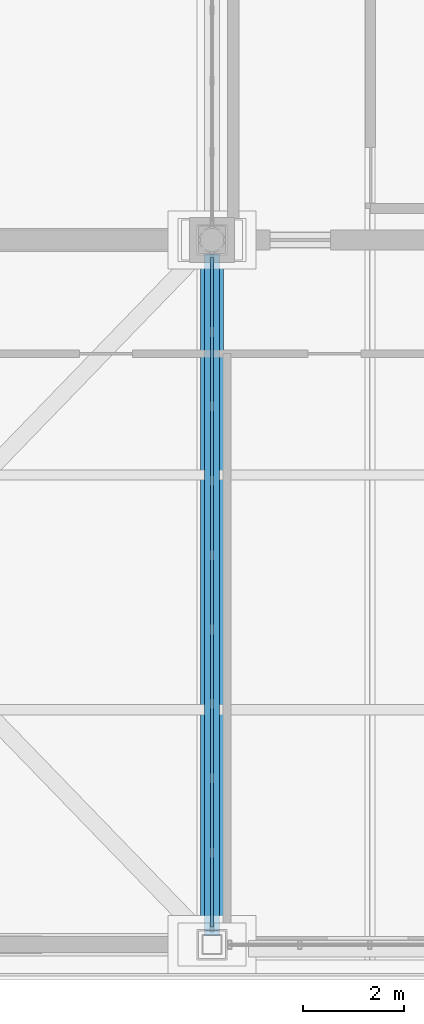
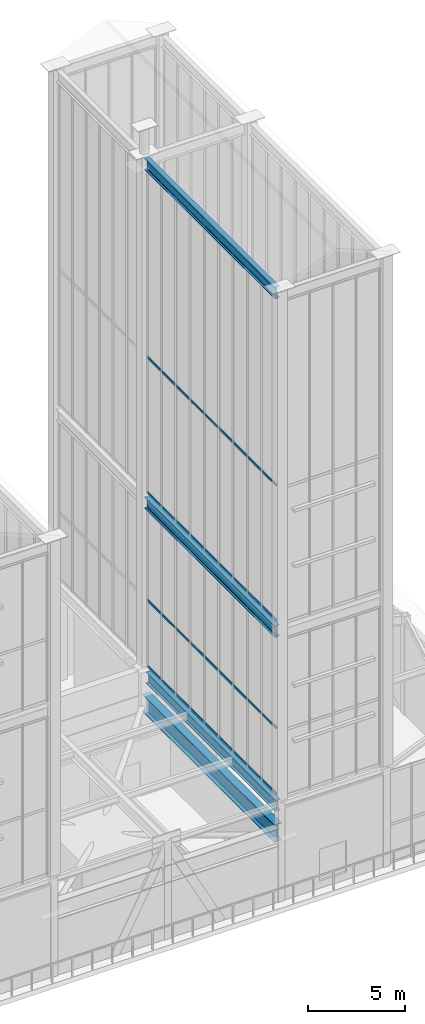
# One storey, part 55 of 135: 6 members, 4 beams, 2 elements without a shape of their own.
"""IFC4 building model written with IfcOpenShell, lengths in metres."""

from ifc_helpers import new_model, si_unit, direction, frame, origin, origin_2d, place, context, subcontext, project, spatial, hollow_rectangle, i_section, extrude, source, transform, mapped, material, layer, layer_set, material_profile, profile_set, type_object, element, aggregate, save


model = new_model("IFC4")

# Units and contexts
model_context = context("Model", 3, precision=1e-05, world=origin(), true_north=direction((0.0, 1.0)))
body_context = subcontext(model_context, "Body", "Model", "MODEL_VIEW")
ifc_project = project(units=[si_unit("LENGTHUNIT", "METRE"), si_unit("AREAUNIT", "SQUARE_METRE"), si_unit("VOLUMEUNIT", "CUBIC_METRE"), si_unit("PLANEANGLEUNIT", "RADIAN"), si_unit("MASSUNIT", "GRAM", prefix="KILO")], contexts=[model_context])

# Site, building, storey
site_placement = place(None, origin())
site = spatial("IfcSite", under=ifc_project, at=site_placement, CompositionType="ELEMENT")
building_placement = place(site_placement, origin())
building = spatial("IfcBuilding", under=site, at=building_placement, Name="Giltprow Tower", CompositionType="ELEMENT")
storey_placement = place(building_placement, frame((0.0, 0.0, 352.699951171875)))
storey = spatial("IfcBuildingStorey", under=building, at=storey_placement, Name="L92", CompositionType="ELEMENT", Elevation=352.699951171875)

# Beams
ifc_material_1 = material(Name="Structural steel Q355B", Category="steel")
ifc_material_profile_1 = material_profile(ifc_material_1, i_section(OverallWidth=0.300048828125, OverallDepth=0.699951171875, WebThickness=0.012939453125, FlangeThickness=0.02392578125, at=origin_2d()), Name="HN 700x300x13x24")
ifc_profile_set_1 = profile_set([ifc_material_profile_1], Name="Structural steel Q355B")
beam_type_1 = type_object("IfcBeamType", Name="BM-GIRD-HN700", PredefinedType="BEAM", material=ifc_profile_set_1)
shared_shape_1 = source(origin(), body_context, "Body", "SweptSolid", [
    extrude(i_section(OverallWidth=0.300048828125, OverallDepth=0.699951171875, WebThickness=0.012939453125, FlangeThickness=0.02392578125, at=origin_2d()), origin(), (0.0, 0.0, 1.0), 13.329833984375),
])
beam_1_placement = place(storey_placement, frame((44.300048828125, 23.68505859375, 5.81005859375), z_axis=(0.0, 1.0, 0.0), x_axis=(-1.0, 0.0, 0.0)))
element("IfcBeam", 1, at=beam_1_placement, inside=storey, type_object=beam_type_1, Name="L92 Primary Lease Girder S3", PredefinedType="BEAM", context=body_context, shape_type="MappedRepresentation", body=[
    mapped(shared_shape_1, transform((0.0, 0.0, 0.0), x_axis=(1.0, 0.0, 0.0), y_axis=(0.0, 1.0, 0.0), z_axis=(0.0, 0.0, 1.0), scale=1.0)),
])
ifc_material_2 = material(Name="Structural steel Q420GJC", Category="steel")
ifc_material_profile_2 = material_profile(ifc_material_2, i_section(OverallWidth=0.449951171875, OverallDepth=1.10009765625, WebThickness=0.02587890625, FlangeThickness=0.0419921875, at=origin_2d()), Name="WH 1100x450x26x42")
ifc_profile_set_2 = profile_set([ifc_material_profile_2], Name="Structural steel Q420GJC")
beam_type_2 = type_object("IfcBeamType", Name="BM-GIRD-WH1100", PredefinedType="BEAM", material=ifc_profile_set_2)
shared_shape_2 = source(origin(), body_context, "Body", "SweptSolid", [
    extrude(i_section(OverallWidth=0.449951171875, OverallDepth=1.10009765625, WebThickness=0.02587890625, FlangeThickness=0.0419921875, at=origin_2d()), origin(), (0.0, 0.0, 1.0), 13.570068359375),
])
beam_2_placement = place(storey_placement, frame((44.300048828125, 23.68994140625, 4.10009765625), z_axis=(0.0, 1.0, 0.0), x_axis=(-1.0, 0.0, 0.0)))
element("IfcBeam", 2, at=beam_2_placement, inside=storey, type_object=beam_type_2, Name="Tuned Mass Damper Gantry Beam 2", PredefinedType="BEAM", context=body_context, shape_type="MappedRepresentation", body=[
    mapped(shared_shape_2, transform((0.0, 0.0, 0.0), x_axis=(1.0, 0.0, 0.0), y_axis=(0.0, 1.0, 0.0), z_axis=(0.0, 0.0, 1.0), scale=1.0)),
])
ifc_material_profile_3 = material_profile(ifc_material_1, i_section(OverallWidth=0.300048828125, OverallDepth=0.699951171875, WebThickness=0.012939453125, FlangeThickness=0.02392578125, at=origin_2d()), Name="HN 700x300x13x24")
ifc_profile_set_3 = profile_set([ifc_material_profile_3], Name="Structural steel Q355B")
beam_type_3 = type_object("IfcBeamType", Name="BM-CRN-RING-HN700", PredefinedType="BEAM", material=ifc_profile_set_3)
shared_shape_3 = source(origin(), body_context, "Body", "SweptSolid", [
    extrude(i_section(OverallWidth=0.300048828125, OverallDepth=0.699951171875, WebThickness=0.012939453125, FlangeThickness=0.02392578125, at=origin_2d()), origin(), (0.0, 0.0, 1.0), 13.389892578125),
])
for number, where, z_axis, x_axis, name in (
    (3, (44.300048828125, 37.169921875, 16.699951171875), (0.0, -1.0, 0.0), (1.0, 0.0, 0.0), "Crown Frame East Ring Beam 1-6"),
    (4, (44.300048828125, 37.169921875, 37.966064453125), (0.0, -1.0, 0.0), (1.0, 0.0, 0.0), "Crown Frame East Ring Beam 2-6"),
):
    element("IfcBeam", number, at=place(storey_placement, frame(where, z_axis=z_axis, x_axis=x_axis)), inside=storey, type_object=beam_type_3, Name=name, PredefinedType="BEAM", context=body_context, shape_type="MappedRepresentation", body=[
        mapped(shared_shape_3, transform((0.0, 0.0, 0.0), x_axis=(1.0, 0.0, 0.0), y_axis=(0.0, 1.0, 0.0), z_axis=(0.0, 0.0, 1.0), scale=1.0)),
    ])

# Curtain wall, members
ifc_material_3 = material(Name="Anodized bronze", Category="metal")
ifc_layer = layer(ifc_material_3, 0.179931640625, Name="Anodized bronze")
ifc_layer_set = layer_set([ifc_layer], Name="Anodized bronze")
curtain_wall_type = type_object("IfcCurtainWallType", Name="CW-CROWN-LANTERN", PredefinedType="NOTDEFINED", material=ifc_layer_set)
curtain_wall_1_placement = place(storey_placement, origin())
curtain_wall_1 = element("IfcCurtainWall", 5, at=curtain_wall_1_placement, inside=storey, type_object=curtain_wall_type, Name="Crown East Lower Lantern Glazing 6", PredefinedType="NOTDEFINED")
ifc_material_profile_4 = material_profile(ifc_material_3, hollow_rectangle(XDim=0.06494140625, YDim=0.14990234375, WallThickness=0.006103515625, at=origin_2d()), Name="RHS 150x65x6")
ifc_profile_set_4 = profile_set([ifc_material_profile_4], Name="Anodized bronze")
member_type = type_object("IfcMemberType", Name="CW-TRANSOM-150x65", PredefinedType="USERDEFINED", material=ifc_profile_set_4)
shared_shape_4 = source(origin(), body_context, "Body", "SweptSolid", [
    extrude(hollow_rectangle(XDim=0.06494140625, YDim=0.14990234375, WallThickness=0.006103515625, at=origin_2d()), origin(), (0.0, 0.0, 1.0), 13.25),
])
member_1_placement = place(storey_placement, frame((44.300048828125, 37.10009765625, 6.43994140625), z_axis=(0.0, -1.0, 0.0), x_axis=(1.0, 0.0, 0.0)))
member_1 = element("IfcMember", 6, at=member_1_placement, type_object=member_type, Name="Crown East Lower Lantern Glazing 6 Transom 1", ObjectType="TRANSOM", PredefinedType="USERDEFINED", context=body_context, shape_type="MappedRepresentation", body=[
    mapped(shared_shape_4, transform((0.0, 0.0, 0.0), x_axis=(1.0, 0.0, 0.0), y_axis=(0.0, 1.0, 0.0), z_axis=(0.0, 0.0, 1.0), scale=1.0)),
])
member_2_placement = place(storey_placement, frame((44.300048828125, 37.10009765625, 10.5791015625), z_axis=(0.0, -1.0, 0.0), x_axis=(1.0, 0.0, 0.0)))
member_2 = element("IfcMember", 7, at=member_2_placement, type_object=member_type, Name="Crown East Lower Lantern Glazing 6 Transom 2", ObjectType="TRANSOM", PredefinedType="USERDEFINED", context=body_context, shape_type="MappedRepresentation", body=[
    mapped(shared_shape_4, transform((0.0, 0.0, 0.0), x_axis=(1.0, 0.0, 0.0), y_axis=(0.0, 1.0, 0.0), z_axis=(0.0, 0.0, 1.0), scale=1.0)),
])
member_3_placement = place(storey_placement, frame((44.300048828125, 37.10009765625, 16.31005859375), z_axis=(0.0, -1.0, 0.0), x_axis=(1.0, 0.0, 0.0)))
member_3 = element("IfcMember", 8, at=member_3_placement, type_object=member_type, Name="Crown East Lower Lantern Glazing 6 Transom 3", ObjectType="TRANSOM", PredefinedType="USERDEFINED", context=body_context, shape_type="MappedRepresentation", body=[
    mapped(shared_shape_4, transform((0.0, 0.0, 0.0), x_axis=(1.0, 0.0, 0.0), y_axis=(0.0, 1.0, 0.0), z_axis=(0.0, 0.0, 1.0), scale=1.0)),
])
aggregate(curtain_wall_1, [member_1, member_2, member_3])

curtain_wall_2_placement = place(storey_placement, origin())
curtain_wall_2 = element("IfcCurtainWall", 9, at=curtain_wall_2_placement, inside=storey, type_object=curtain_wall_type, Name="Crown East Upper Lantern Glazing 6", PredefinedType="NOTDEFINED")
member_4_placement = place(storey_placement, frame((44.300048828125, 37.10009765625, 17.340087890625), z_axis=(0.0, -1.0, 0.0), x_axis=(1.0, 0.0, 0.0)))
member_4 = element("IfcMember", 10, at=member_4_placement, type_object=member_type, Name="Crown East Upper Lantern Glazing 6 Transom 1", ObjectType="TRANSOM", PredefinedType="USERDEFINED", context=body_context, shape_type="MappedRepresentation", body=[
    mapped(shared_shape_4, transform((0.0, 0.0, 0.0), x_axis=(1.0, 0.0, 0.0), y_axis=(0.0, 1.0, 0.0), z_axis=(0.0, 0.0, 1.0), scale=1.0)),
])
member_5_placement = place(storey_placement, frame((44.300048828125, 37.10009765625, 25.8330078125), z_axis=(0.0, -1.0, 0.0), x_axis=(1.0, 0.0, 0.0)))
member_5 = element("IfcMember", 11, at=member_5_placement, type_object=member_type, Name="Crown East Upper Lantern Glazing 6 Transom 2", ObjectType="TRANSOM", PredefinedType="USERDEFINED", context=body_context, shape_type="MappedRepresentation", body=[
    mapped(shared_shape_4, transform((0.0, 0.0, 0.0), x_axis=(1.0, 0.0, 0.0), y_axis=(0.0, 1.0, 0.0), z_axis=(0.0, 0.0, 1.0), scale=1.0)),
])
member_6_placement = place(storey_placement, frame((44.300048828125, 37.10009765625, 37.575927734375), z_axis=(0.0, -1.0, 0.0), x_axis=(1.0, 0.0, 0.0)))
member_6 = element("IfcMember", 12, at=member_6_placement, type_object=member_type, Name="Crown East Upper Lantern Glazing 6 Transom 3", ObjectType="TRANSOM", PredefinedType="USERDEFINED", context=body_context, shape_type="MappedRepresentation", body=[
    mapped(shared_shape_4, transform((0.0, 0.0, 0.0), x_axis=(1.0, 0.0, 0.0), y_axis=(0.0, 1.0, 0.0), z_axis=(0.0, 0.0, 1.0), scale=1.0)),
])
aggregate(curtain_wall_2, [member_4, member_5, member_6])

save(model, "model.ifc")
